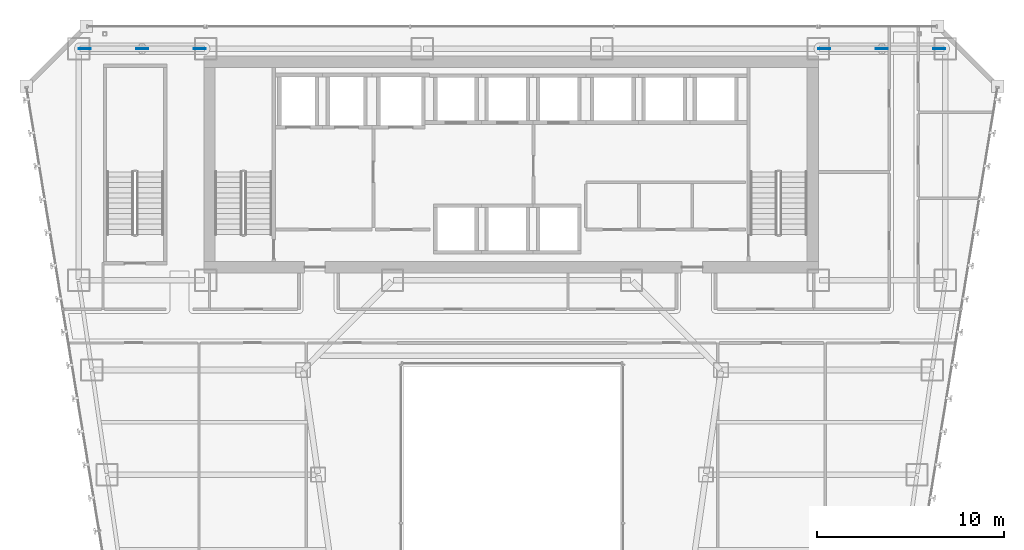
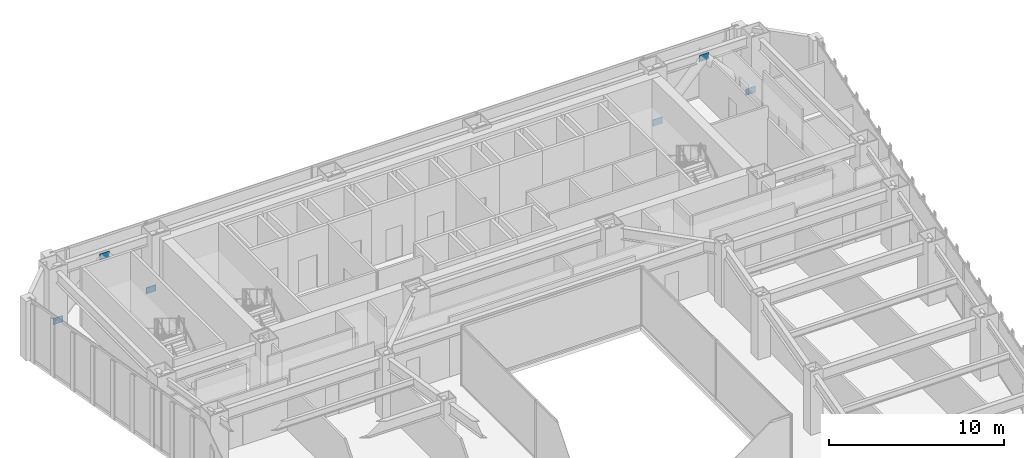
# One storey, part 35 of 49: 6 plates.
"""IFC4 building model written with IfcOpenShell, lengths in metres."""

from ifc_helpers import new_model, si_unit, direction, frame, origin, origin_2d, place, context, subcontext, project, spatial, rectangle, extrude, material, layer, layer_set, type_object, element, save


model = new_model("IFC4")

# Units and contexts
model_context = context("Model", 3, precision=1e-05, world=origin(), true_north=direction((0.0, 1.0)))
body_context = subcontext(model_context, "Body", "Model", "MODEL_VIEW")
ifc_project = project(units=[si_unit("LENGTHUNIT", "METRE"), si_unit("AREAUNIT", "SQUARE_METRE"), si_unit("VOLUMEUNIT", "CUBIC_METRE"), si_unit("PLANEANGLEUNIT", "RADIAN"), si_unit("MASSUNIT", "GRAM", prefix="KILO")], contexts=[model_context])

# Site, building, storey
site_placement = place(None, origin())
site = spatial("IfcSite", under=ifc_project, at=site_placement, CompositionType="ELEMENT")
building_placement = place(site_placement, origin())
building = spatial("IfcBuilding", under=site, at=building_placement, Name="Saevonmaru Cultural Tower", CompositionType="ELEMENT")
storey_placement = place(building_placement, frame((0.0, 0.0, 73.60009765625)))
storey = spatial("IfcBuildingStorey", under=building, at=storey_placement, Name="L15", CompositionType="ELEMENT", Elevation=73.60009765625)

# Plates
ifc_material = material(Name="Steel HSA600 (600 MPa)", Category="steel")
ifc_layer = layer(ifc_material, 0.0400390625, Name="Steel HSA600 (600 MPa)")
ifc_layer_set = layer_set([ifc_layer], Name="Steel HSA600 (600 MPa)")
plate_type = type_object("IfcPlateType", Name="PL-GUSSET-EXT", PredefinedType="USERDEFINED", material=ifc_layer_set)
for number, where, z_axis, x_axis, name in (
    (1, (10.199951171875, 54.800048828125, 3.449951171875), (0.0, 0.0, 1.0), (1.0, 0.0, 0.0), "L15 Perimeter Tube Gusset Plate"),
    (2, (7.1201171875, 54.800048828125, 0.02001953125), (0.0, 0.0, 1.0), (1.0, 0.0, 0.0), "L15 Perimeter Tube Gusset Plate"),
    (3, (13.280029296875, 54.800048828125, 0.02001953125), (0.0, 0.0, 1.0), (1.0, 0.0, 0.0), "L15 Perimeter Tube Gusset Plate"),
    (4, (49.800048828125, 54.800048828125, 3.449951171875), (0.0, 0.0, 1.0), (1.0, 0.0, 0.0), "L15 Perimeter Tube Gusset Plate"),
    (5, (46.719970703125, 54.800048828125, 0.02001953125), (0.0, 0.0, 1.0), (1.0, 0.0, 0.0), "L15 Perimeter Tube Gusset Plate"),
    (6, (52.8798828125, 54.800048828125, 0.02001953125), (0.0, 0.0, 1.0), (1.0, 0.0, 0.0), "L15 Perimeter Tube Gusset Plate"),
):
    element("IfcPlate", number, at=place(storey_placement, frame(where, z_axis=z_axis, x_axis=x_axis)), inside=storey, type_object=plate_type, Name=name, ObjectType="GUSSET_PLATE", PredefinedType="USERDEFINED", context=body_context, shape_type="SweptSolid", body=[
        extrude(rectangle(XDim=0.639892578125, YDim=0.0400390625, at=origin_2d()), origin(), (0.0, 0.0, 1.0), 0.43994140625),
    ])

save(model, "model.ifc")
